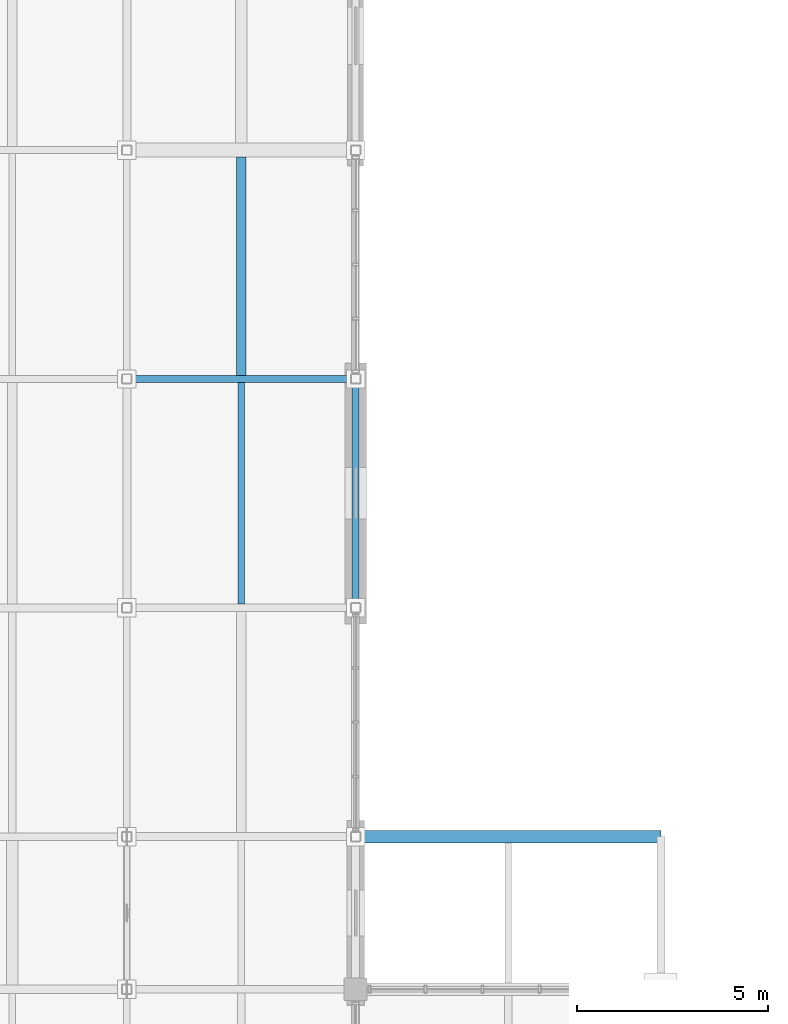
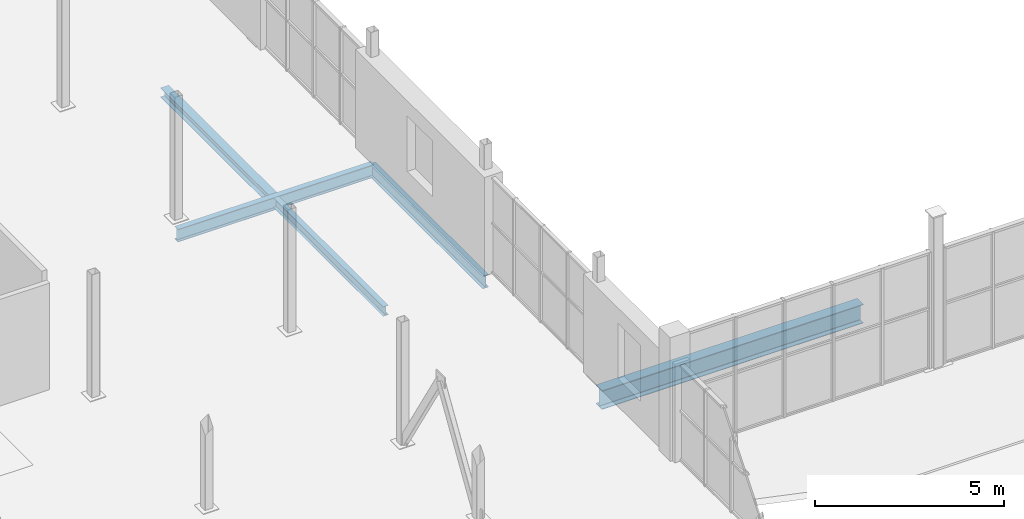
# One storey, part 26 of 96: 5 beams.
"""IFC4 building model written with IfcOpenShell, lengths in metres."""

from ifc_helpers import new_model, si_unit, direction, frame, origin, origin_2d, place, context, subcontext, project, spatial, i_section, extrude, material, material_profile, profile_set, type_object, element, save


model = new_model("IFC4")

# Units and contexts
model_context = context("Model", 3, precision=1e-05, world=origin(), true_north=direction((0.0, 1.0)))
body_context = subcontext(model_context, "Body", "Model", "MODEL_VIEW")
ifc_project = project(units=[si_unit("LENGTHUNIT", "METRE"), si_unit("AREAUNIT", "SQUARE_METRE"), si_unit("VOLUMEUNIT", "CUBIC_METRE"), si_unit("PLANEANGLEUNIT", "RADIAN"), si_unit("MASSUNIT", "GRAM", prefix="KILO")], contexts=[model_context])

# Site, building, storey
site_placement = place(None, origin())
site = spatial("IfcSite", under=ifc_project, at=site_placement, CompositionType="ELEMENT")
building_placement = place(site_placement, origin())
building = spatial("IfcBuilding", under=site, at=building_placement, Name="Verrall Gate Interchange", CompositionType="ELEMENT")
storey_placement = place(building_placement, frame((0.0, 0.0, 11.39990234375)))
storey = spatial("IfcBuildingStorey", under=building, at=storey_placement, Name="L03", CompositionType="ELEMENT", Elevation=11.39990234375)

# Beams
ifc_material_1 = material(Name="Structural Steel CSA G40.21 350WT Cat 4", Category="steel")
ifc_material_profile_1 = material_profile(ifc_material_1, i_section(OverallWidth=0.323974609375, OverallDepth=0.611083984375, WebThickness=0.0126953125, FlangeThickness=0.01904296875, FilletRadius=0.014892578125, at=origin_2d()), Name="W610x155")
ifc_profile_set_1 = profile_set([ifc_material_profile_1], Name="Structural Steel CSA G40.21 350WT Cat 4")
beam_type_1 = type_object("IfcBeamType", Name="B-08 Structural Beam W610x155", PredefinedType="BEAM", material=ifc_profile_set_1)
beam_1_placement = place(storey_placement, frame((36.0, 16.0, -0.635498046875), z_axis=(1.0, 0.0, 0.0), x_axis=(0.0, 1.0, 0.0)))
element("IfcBeam", 1, at=beam_1_placement, inside=storey, type_object=beam_type_1, Name="L03 Girder BM-L03-2031 (B-08)", PredefinedType="BEAM", context=body_context, shape_type="SweptSolid", body=[
    extrude(i_section(OverallWidth=0.323974609375, OverallDepth=0.611083984375, WebThickness=0.0126953125, FlangeThickness=0.01904296875, FilletRadius=0.014892578125, at=origin_2d()), origin(), (0.0, 0.0, 1.0), 8.0),
])
ifc_material_2 = material(Name="Structural Steel CSA G40.21 350W", Category="steel")
ifc_material_profile_2 = material_profile(ifc_material_2, i_section(OverallWidth=0.178955078125, OverallDepth=0.409912109375, WebThickness=0.0087890625, FlangeThickness=0.014404296875, FilletRadius=0.011962890625, at=origin_2d()), Name="W410x67")
ifc_profile_set_2 = profile_set([ifc_material_profile_2], Name="Structural Steel CSA G40.21 350W")
beam_type_2 = type_object("IfcBeamType", Name="B-12 Structural Beam W410x67", PredefinedType="BEAM", material=ifc_profile_set_2)
for number, where, z_axis, x_axis, name in (
    (2, (30.0, 28.0, -0.534912109375), (1.0, 0.0, 0.0), (0.0, 1.0, 0.0), "L03 Girder BM-L03-2060 (B-12)"),
    (3, (36.0, 22.0, -0.534912109375), (0.0, 1.0, 0.0), (-1.0, 0.0, 0.0), "L03 Girder BM-L03-2262 (B-12)"),
):
    element("IfcBeam", number, at=place(storey_placement, frame(where, z_axis=z_axis, x_axis=x_axis)), inside=storey, type_object=beam_type_2, Name=name, PredefinedType="BEAM", context=body_context, shape_type="SweptSolid", body=[
        extrude(i_section(OverallWidth=0.178955078125, OverallDepth=0.409912109375, WebThickness=0.0087890625, FlangeThickness=0.014404296875, FilletRadius=0.011962890625, at=origin_2d()), origin(), (0.0, 0.0, 1.0), 6.0),
    ])
ifc_material_3 = material(Name="Structural Steel CSA G40.21 350W", Category="steel")
ifc_material_profile_3 = material_profile(ifc_material_3, i_section(OverallWidth=0.25390625, OverallDepth=0.305908203125, WebThickness=0.0087890625, FlangeThickness=0.0146484375, FilletRadius=0.012939453125, at=origin_2d()), Name="W310x79")
ifc_profile_set_3 = profile_set([ifc_material_profile_3], Name="Structural Steel CSA G40.21 350W")
beam_type_3 = type_object("IfcBeamType", Name="J-03 Floor Joist W310x79", PredefinedType="JOIST", material=ifc_profile_set_3)
beam_2_placement = place(storey_placement, frame((33.0, 28.089599609375, -0.48291015625), z_axis=(0.0, 1.0, 0.0), x_axis=(-1.0, 0.0, 0.0)))
element("IfcBeam", 4, at=beam_2_placement, inside=storey, type_object=beam_type_3, Name="L03 Secondary Floor Joist JST-L03-2443", PredefinedType="JOIST", context=body_context, shape_type="SweptSolid", body=[
    extrude(i_section(OverallWidth=0.25390625, OverallDepth=0.305908203125, WebThickness=0.0087890625, FlangeThickness=0.0146484375, FilletRadius=0.012939453125, at=origin_2d()), origin(), (0.0, 0.0, 1.0), 5.725830078125),
])
ifc_material_4 = material(Name="Structural Steel CSA G40.21 350W", Category="steel")
ifc_material_profile_4 = material_profile(ifc_material_4, i_section(OverallWidth=0.1650390625, OverallDepth=0.31005859375, WebThickness=0.005859375, FlangeThickness=0.009765625, FilletRadius=0.010009765625, at=origin_2d()), Name="W310x39")
ifc_profile_set_4 = profile_set([ifc_material_profile_4], Name="Structural Steel CSA G40.21 350W")
beam_type_4 = type_object("IfcBeamType", Name="J-04 Floor Joist W310x39", PredefinedType="JOIST", material=ifc_profile_set_4)
beam_3_placement = place(storey_placement, frame((33.0, 22.095947265625, -0.48486328125), z_axis=(0.0, 1.0, 0.0), x_axis=(-1.0, 0.0, 0.0)))
element("IfcBeam", 5, at=beam_3_placement, inside=storey, type_object=beam_type_4, Name="L03 Secondary Floor Joist JST-L03-2434", PredefinedType="JOIST", context=body_context, shape_type="SweptSolid", body=[
    extrude(i_section(OverallWidth=0.1650390625, OverallDepth=0.31005859375, WebThickness=0.005859375, FlangeThickness=0.009765625, FilletRadius=0.010009765625, at=origin_2d()), origin(), (0.0, 0.0, 1.0), 5.814453125),
])

save(model, "model.ifc")
